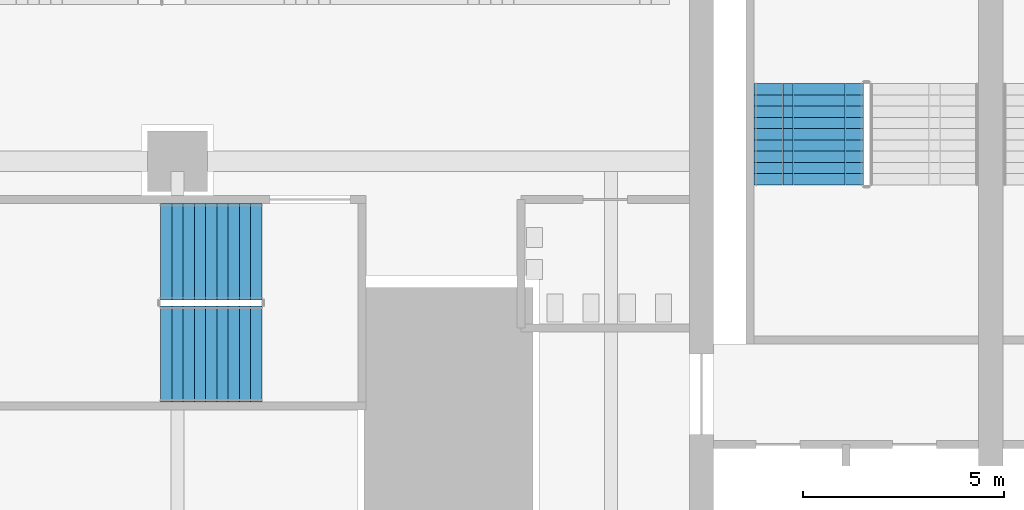
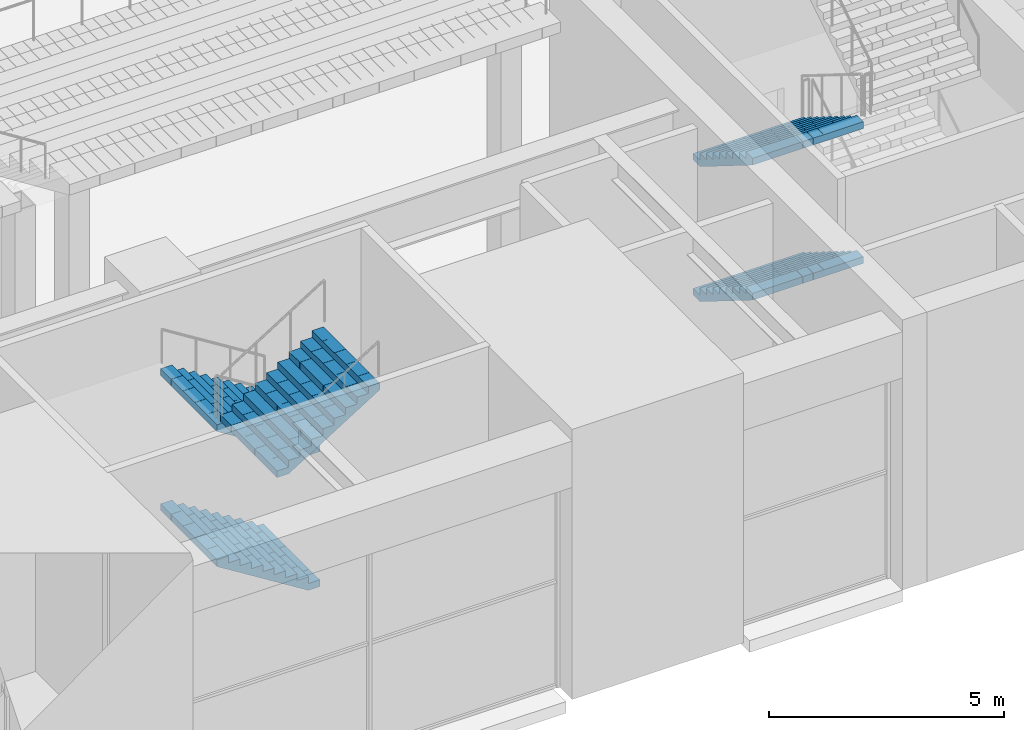
# One storey, part 45 of 62: 5 stair flights, 2 elements without a shape of their own.
"""IFC4 building model written with IfcOpenShell, lengths in metres."""

from ifc_helpers import new_model, si_unit, direction, frame, origin, place, context, subcontext, project, spatial, polyline, outline, extrude, material, type_object, element, aggregate, save


model = new_model("IFC4")

# Units and contexts
model_context = context("Model", 3, precision=1e-05, world=origin(), true_north=direction((0.0, 1.0)))
body_context = subcontext(model_context, "Body", "Model", "MODEL_VIEW")
ifc_project = project(units=[si_unit("LENGTHUNIT", "METRE"), si_unit("AREAUNIT", "SQUARE_METRE"), si_unit("VOLUMEUNIT", "CUBIC_METRE"), si_unit("PLANEANGLEUNIT", "RADIAN"), si_unit("MASSUNIT", "GRAM", prefix="KILO")], contexts=[model_context])

# Site, building, storey
site_placement = place(None, origin())
site = spatial("IfcSite", under=ifc_project, at=site_placement, CompositionType="ELEMENT")
building_placement = place(site_placement, origin())
building = spatial("IfcBuilding", under=site, at=building_placement, Name="Corbelhall Arena Tower", CompositionType="ELEMENT")
storey_placement = place(building_placement, frame((0.0, 0.0, 12.0)))
storey = spatial("IfcBuildingStorey", under=building, at=storey_placement, Name="L01", CompositionType="ELEMENT", Elevation=12.0)

# Stair, stair flights
ifc_material = material(Name="Reinforced concrete C40/50", Category="concrete")
stair_type = type_object("IfcStairType", Name="AR-EXIT-STAIR", PredefinedType="HALF_TURN_STAIR", material=ifc_material)
stair_1_placement = place(storey_placement, origin())
stair_1 = element("IfcStair", 1, at=stair_1_placement, inside=storey, type_object=stair_type, Name="L01 exit stair AS16", PredefinedType="HALF_TURN_STAIR")
stair_flight_type = type_object("IfcStairFlightType", Name="AR-EXIT-FLIGHT", PredefinedType="STRAIGHT", material=ifc_material)
stair_flight_1_placement = place(storey_placement, frame((22.35009765625, -31.5, 0.0), z_axis=(0.0, 0.0, 1.0), x_axis=(-1.0, 0.0, 0.0)))
stair_flight_1 = element("IfcStairFlight", 2, at=stair_flight_1_placement, type_object=stair_flight_type, Name="AS16 flight 1", NumberOfRisers=10, NumberOfTreads=9, PredefinedType="STRAIGHT", RiserHeight=0.175, TreadLength=0.28, context=body_context, shape_type="SweptSolid", body=[
    extrude(outline(polyline([(0.0, 0.0), (0.0, 0.175048828125), (0.280029296875, 0.175048828125), (0.280029296875, 0.35009765625), (0.56005859375, 0.35009765625), (0.56005859375, 0.52490234375), (0.840087890625, 0.52490234375), (0.840087890625, 0.699951171875), (1.1201171875, 0.699951171875), (1.1201171875, 0.875), (1.39990234375, 0.875), (1.39990234375, 1.050048828125), (1.679931640625, 1.050048828125), (1.679931640625, 1.22509765625), (1.9599609375, 1.22509765625), (1.9599609375, 1.39990234375), (2.239990234375, 1.39990234375), (2.239990234375, 1.574951171875), (2.52001953125, 1.574951171875), (2.52001953125, 1.75), (2.52001953125, 1.398193359375), (0.28271484375, 0.0), (0.0, 0.0)])), frame((0.0, 1.199951171875, 0.0), z_axis=(0.0, -1.0, 0.0), x_axis=(1.0, 0.0, 0.0)), (0.0, 0.0, 1.0), 0.449951171875),
    extrude(outline(polyline([(0.0, 0.0), (0.0, 0.175048828125), (0.280029296875, 0.175048828125), (0.280029296875, 0.35009765625), (0.56005859375, 0.35009765625), (0.56005859375, 0.52490234375), (0.840087890625, 0.52490234375), (0.840087890625, 0.699951171875), (1.1201171875, 0.699951171875), (1.1201171875, 0.875), (1.39990234375, 0.875), (1.39990234375, 1.050048828125), (1.679931640625, 1.050048828125), (1.679931640625, 1.22509765625), (1.9599609375, 1.22509765625), (1.9599609375, 1.39990234375), (2.239990234375, 1.39990234375), (2.239990234375, 1.574951171875), (2.52001953125, 1.574951171875), (2.52001953125, 1.75), (2.52001953125, 1.398193359375), (0.28271484375, 0.0), (0.0, 0.0)])), frame((0.0, 0.745849609375, 0.0), z_axis=(0.0, -1.0, 0.0), x_axis=(1.0, 0.0, 0.0)), (0.0, 0.0, 1.0), 0.49462890625),
    extrude(outline(polyline([(0.0, 0.0), (0.0, 0.175048828125), (0.280029296875, 0.175048828125), (0.280029296875, 0.35009765625), (0.56005859375, 0.35009765625), (0.56005859375, 0.52490234375), (0.840087890625, 0.52490234375), (0.840087890625, 0.699951171875), (1.1201171875, 0.699951171875), (1.1201171875, 0.875), (1.39990234375, 0.875), (1.39990234375, 1.050048828125), (1.679931640625, 1.050048828125), (1.679931640625, 1.22509765625), (1.9599609375, 1.22509765625), (1.9599609375, 1.39990234375), (2.239990234375, 1.39990234375), (2.239990234375, 1.574951171875), (2.52001953125, 1.574951171875), (2.52001953125, 1.75), (2.52001953125, 1.398193359375), (0.28271484375, 0.0), (0.0, 0.0)])), frame((0.0, 0.247314453125, 0.0), z_axis=(0.0, -1.0, 0.0), x_axis=(1.0, 0.0, 0.0)), (0.0, 0.0, 1.0), 0.49462890625),
    extrude(outline(polyline([(0.0, 0.0), (0.0, 0.175048828125), (0.280029296875, 0.175048828125), (0.280029296875, 0.35009765625), (0.56005859375, 0.35009765625), (0.56005859375, 0.52490234375), (0.840087890625, 0.52490234375), (0.840087890625, 0.699951171875), (1.1201171875, 0.699951171875), (1.1201171875, 0.875), (1.39990234375, 0.875), (1.39990234375, 1.050048828125), (1.679931640625, 1.050048828125), (1.679931640625, 1.22509765625), (1.9599609375, 1.22509765625), (1.9599609375, 1.39990234375), (2.239990234375, 1.39990234375), (2.239990234375, 1.574951171875), (2.52001953125, 1.574951171875), (2.52001953125, 1.75), (2.52001953125, 1.398193359375), (0.28271484375, 0.0), (0.0, 0.0)])), frame((0.0, -0.251220703125, 0.0), z_axis=(0.0, -1.0, 0.0), x_axis=(1.0, 0.0, 0.0)), (0.0, 0.0, 1.0), 0.49462890625),
    extrude(outline(polyline([(0.0, 0.0), (0.0, 0.175048828125), (0.280029296875, 0.175048828125), (0.280029296875, 0.35009765625), (0.56005859375, 0.35009765625), (0.56005859375, 0.52490234375), (0.840087890625, 0.52490234375), (0.840087890625, 0.699951171875), (1.1201171875, 0.699951171875), (1.1201171875, 0.875), (1.39990234375, 0.875), (1.39990234375, 1.050048828125), (1.679931640625, 1.050048828125), (1.679931640625, 1.22509765625), (1.9599609375, 1.22509765625), (1.9599609375, 1.39990234375), (2.239990234375, 1.39990234375), (2.239990234375, 1.574951171875), (2.52001953125, 1.574951171875), (2.52001953125, 1.75), (2.52001953125, 1.398193359375), (0.28271484375, 0.0), (0.0, 0.0)])), frame((0.0, -0.75, 0.0), z_axis=(0.0, -1.0, 0.0), x_axis=(1.0, 0.0, 0.0)), (0.0, 0.0, 1.0), 0.449951171875),
])
stair_flight_2_placement = place(storey_placement, frame((22.35009765625, -31.5, 3.5), z_axis=(0.0, 0.0, 1.0), x_axis=(-1.0, 0.0, 0.0)))
stair_flight_2 = element("IfcStairFlight", 3, at=stair_flight_2_placement, type_object=stair_flight_type, Name="AS16 flight 3", NumberOfRisers=10, NumberOfTreads=9, PredefinedType="STRAIGHT", RiserHeight=0.175, TreadLength=0.28, context=body_context, shape_type="SweptSolid", body=[
    extrude(outline(polyline([(0.0, 0.0), (0.0, 0.175048828125), (0.280029296875, 0.175048828125), (0.280029296875, 0.35009765625), (0.56005859375, 0.35009765625), (0.56005859375, 0.52490234375), (0.840087890625, 0.52490234375), (0.840087890625, 0.699951171875), (1.1201171875, 0.699951171875), (1.1201171875, 0.875), (1.39990234375, 0.875), (1.39990234375, 1.050048828125), (1.679931640625, 1.050048828125), (1.679931640625, 1.22509765625), (1.9599609375, 1.22509765625), (1.9599609375, 1.39990234375), (2.239990234375, 1.39990234375), (2.239990234375, 1.574951171875), (2.52001953125, 1.574951171875), (2.52001953125, 1.75), (2.52001953125, 1.398193359375), (0.28271484375, 0.0), (0.0, 0.0)])), frame((0.0, 1.199951171875, 0.0), z_axis=(0.0, -1.0, 0.0), x_axis=(1.0, 0.0, 0.0)), (0.0, 0.0, 1.0), 0.449951171875),
    extrude(outline(polyline([(0.0, 0.0), (0.0, 0.175048828125), (0.280029296875, 0.175048828125), (0.280029296875, 0.35009765625), (0.56005859375, 0.35009765625), (0.56005859375, 0.52490234375), (0.840087890625, 0.52490234375), (0.840087890625, 0.699951171875), (1.1201171875, 0.699951171875), (1.1201171875, 0.875), (1.39990234375, 0.875), (1.39990234375, 1.050048828125), (1.679931640625, 1.050048828125), (1.679931640625, 1.22509765625), (1.9599609375, 1.22509765625), (1.9599609375, 1.39990234375), (2.239990234375, 1.39990234375), (2.239990234375, 1.574951171875), (2.52001953125, 1.574951171875), (2.52001953125, 1.75), (2.52001953125, 1.398193359375), (0.28271484375, 0.0), (0.0, 0.0)])), frame((0.0, 0.745849609375, 0.0), z_axis=(0.0, -1.0, 0.0), x_axis=(1.0, 0.0, 0.0)), (0.0, 0.0, 1.0), 0.49462890625),
    extrude(outline(polyline([(0.0, 0.0), (0.0, 0.175048828125), (0.280029296875, 0.175048828125), (0.280029296875, 0.35009765625), (0.56005859375, 0.35009765625), (0.56005859375, 0.52490234375), (0.840087890625, 0.52490234375), (0.840087890625, 0.699951171875), (1.1201171875, 0.699951171875), (1.1201171875, 0.875), (1.39990234375, 0.875), (1.39990234375, 1.050048828125), (1.679931640625, 1.050048828125), (1.679931640625, 1.22509765625), (1.9599609375, 1.22509765625), (1.9599609375, 1.39990234375), (2.239990234375, 1.39990234375), (2.239990234375, 1.574951171875), (2.52001953125, 1.574951171875), (2.52001953125, 1.75), (2.52001953125, 1.398193359375), (0.28271484375, 0.0), (0.0, 0.0)])), frame((0.0, 0.247314453125, 0.0), z_axis=(0.0, -1.0, 0.0), x_axis=(1.0, 0.0, 0.0)), (0.0, 0.0, 1.0), 0.49462890625),
    extrude(outline(polyline([(0.0, 0.0), (0.0, 0.175048828125), (0.280029296875, 0.175048828125), (0.280029296875, 0.35009765625), (0.56005859375, 0.35009765625), (0.56005859375, 0.52490234375), (0.840087890625, 0.52490234375), (0.840087890625, 0.699951171875), (1.1201171875, 0.699951171875), (1.1201171875, 0.875), (1.39990234375, 0.875), (1.39990234375, 1.050048828125), (1.679931640625, 1.050048828125), (1.679931640625, 1.22509765625), (1.9599609375, 1.22509765625), (1.9599609375, 1.39990234375), (2.239990234375, 1.39990234375), (2.239990234375, 1.574951171875), (2.52001953125, 1.574951171875), (2.52001953125, 1.75), (2.52001953125, 1.398193359375), (0.28271484375, 0.0), (0.0, 0.0)])), frame((0.0, -0.251220703125, 0.0), z_axis=(0.0, -1.0, 0.0), x_axis=(1.0, 0.0, 0.0)), (0.0, 0.0, 1.0), 0.49462890625),
    extrude(outline(polyline([(0.0, 0.0), (0.0, 0.175048828125), (0.280029296875, 0.175048828125), (0.280029296875, 0.35009765625), (0.56005859375, 0.35009765625), (0.56005859375, 0.52490234375), (0.840087890625, 0.52490234375), (0.840087890625, 0.699951171875), (1.1201171875, 0.699951171875), (1.1201171875, 0.875), (1.39990234375, 0.875), (1.39990234375, 1.050048828125), (1.679931640625, 1.050048828125), (1.679931640625, 1.22509765625), (1.9599609375, 1.22509765625), (1.9599609375, 1.39990234375), (2.239990234375, 1.39990234375), (2.239990234375, 1.574951171875), (2.52001953125, 1.574951171875), (2.52001953125, 1.75), (2.52001953125, 1.398193359375), (0.28271484375, 0.0), (0.0, 0.0)])), frame((0.0, -0.75, 0.0), z_axis=(0.0, -1.0, 0.0), x_axis=(1.0, 0.0, 0.0)), (0.0, 0.0, 1.0), 0.449951171875),
])
stair_flight_3_placement = place(storey_placement, frame((19.830078125, -34.050048828125, 5.25), z_axis=(0.0, 0.0, 1.0), x_axis=(1.0, 0.0, 0.0)))
stair_flight_3 = element("IfcStairFlight", 4, at=stair_flight_3_placement, type_object=stair_flight_type, Name="AS16 flight 4", NumberOfRisers=10, NumberOfTreads=9, PredefinedType="STRAIGHT", RiserHeight=0.175, TreadLength=0.28, context=body_context, shape_type="SweptSolid", body=[
    extrude(outline(polyline([(0.0, 0.0), (0.0, 0.175048828125), (0.280029296875, 0.175048828125), (0.280029296875, 0.35009765625), (0.56005859375, 0.35009765625), (0.56005859375, 0.52490234375), (0.840087890625, 0.52490234375), (0.840087890625, 0.699951171875), (1.1201171875, 0.699951171875), (1.1201171875, 0.875), (1.39990234375, 0.875), (1.39990234375, 1.050048828125), (1.679931640625, 1.050048828125), (1.679931640625, 1.22509765625), (1.9599609375, 1.22509765625), (1.9599609375, 1.39990234375), (2.239990234375, 1.39990234375), (2.239990234375, 1.574951171875), (2.52001953125, 1.574951171875), (2.52001953125, 1.75), (2.52001953125, 1.398193359375), (0.28271484375, 0.0), (0.0, 0.0)])), frame((0.0, 1.199951171875, 0.0), z_axis=(0.0, -1.0, 0.0), x_axis=(1.0, 0.0, 0.0)), (0.0, 0.0, 1.0), 0.449951171875),
    extrude(outline(polyline([(0.0, 0.0), (0.0, 0.175048828125), (0.280029296875, 0.175048828125), (0.280029296875, 0.35009765625), (0.56005859375, 0.35009765625), (0.56005859375, 0.52490234375), (0.840087890625, 0.52490234375), (0.840087890625, 0.699951171875), (1.1201171875, 0.699951171875), (1.1201171875, 0.875), (1.39990234375, 0.875), (1.39990234375, 1.050048828125), (1.679931640625, 1.050048828125), (1.679931640625, 1.22509765625), (1.9599609375, 1.22509765625), (1.9599609375, 1.39990234375), (2.239990234375, 1.39990234375), (2.239990234375, 1.574951171875), (2.52001953125, 1.574951171875), (2.52001953125, 1.75), (2.52001953125, 1.398193359375), (0.28271484375, 0.0), (0.0, 0.0)])), frame((0.0, 0.745849609375, 0.0), z_axis=(0.0, -1.0, 0.0), x_axis=(1.0, 0.0, 0.0)), (0.0, 0.0, 1.0), 0.49462890625),
    extrude(outline(polyline([(0.0, 0.0), (0.0, 0.175048828125), (0.280029296875, 0.175048828125), (0.280029296875, 0.35009765625), (0.56005859375, 0.35009765625), (0.56005859375, 0.52490234375), (0.840087890625, 0.52490234375), (0.840087890625, 0.699951171875), (1.1201171875, 0.699951171875), (1.1201171875, 0.875), (1.39990234375, 0.875), (1.39990234375, 1.050048828125), (1.679931640625, 1.050048828125), (1.679931640625, 1.22509765625), (1.9599609375, 1.22509765625), (1.9599609375, 1.39990234375), (2.239990234375, 1.39990234375), (2.239990234375, 1.574951171875), (2.52001953125, 1.574951171875), (2.52001953125, 1.75), (2.52001953125, 1.398193359375), (0.28271484375, 0.0), (0.0, 0.0)])), frame((0.0, 0.247314453125, 0.0), z_axis=(0.0, -1.0, 0.0), x_axis=(1.0, 0.0, 0.0)), (0.0, 0.0, 1.0), 0.49462890625),
    extrude(outline(polyline([(0.0, 0.0), (0.0, 0.175048828125), (0.280029296875, 0.175048828125), (0.280029296875, 0.35009765625), (0.56005859375, 0.35009765625), (0.56005859375, 0.52490234375), (0.840087890625, 0.52490234375), (0.840087890625, 0.699951171875), (1.1201171875, 0.699951171875), (1.1201171875, 0.875), (1.39990234375, 0.875), (1.39990234375, 1.050048828125), (1.679931640625, 1.050048828125), (1.679931640625, 1.22509765625), (1.9599609375, 1.22509765625), (1.9599609375, 1.39990234375), (2.239990234375, 1.39990234375), (2.239990234375, 1.574951171875), (2.52001953125, 1.574951171875), (2.52001953125, 1.75), (2.52001953125, 1.398193359375), (0.28271484375, 0.0), (0.0, 0.0)])), frame((0.0, -0.251220703125, 0.0), z_axis=(0.0, -1.0, 0.0), x_axis=(1.0, 0.0, 0.0)), (0.0, 0.0, 1.0), 0.49462890625),
    extrude(outline(polyline([(0.0, 0.0), (0.0, 0.175048828125), (0.280029296875, 0.175048828125), (0.280029296875, 0.35009765625), (0.56005859375, 0.35009765625), (0.56005859375, 0.52490234375), (0.840087890625, 0.52490234375), (0.840087890625, 0.699951171875), (1.1201171875, 0.699951171875), (1.1201171875, 0.875), (1.39990234375, 0.875), (1.39990234375, 1.050048828125), (1.679931640625, 1.050048828125), (1.679931640625, 1.22509765625), (1.9599609375, 1.22509765625), (1.9599609375, 1.39990234375), (2.239990234375, 1.39990234375), (2.239990234375, 1.574951171875), (2.52001953125, 1.574951171875), (2.52001953125, 1.75), (2.52001953125, 1.398193359375), (0.28271484375, 0.0), (0.0, 0.0)])), frame((0.0, -0.75, 0.0), z_axis=(0.0, -1.0, 0.0), x_axis=(1.0, 0.0, 0.0)), (0.0, 0.0, 1.0), 0.449951171875),
])
aggregate(stair_1, [stair_flight_1, stair_flight_2, stair_flight_3])

stair_2_placement = place(storey_placement, origin())
stair_2 = element("IfcStair", 5, at=stair_2_placement, inside=storey, type_object=stair_type, Name="L01 exit stair AS5", PredefinedType="HALF_TURN_STAIR")
stair_flight_4_placement = place(storey_placement, frame((35.969970703125, -27.320068359375, 0.0), z_axis=(0.0, 0.0, 1.0), x_axis=(0.0, -1.0, 0.0)))
stair_flight_4 = element("IfcStairFlight", 6, at=stair_flight_4_placement, type_object=stair_flight_type, Name="AS5 flight 1", NumberOfRisers=10, NumberOfTreads=9, PredefinedType="STRAIGHT", RiserHeight=0.175, TreadLength=0.28, context=body_context, shape_type="SweptSolid", body=[
    extrude(outline(polyline([(0.0, 0.0), (0.0, 0.175048828125), (0.280029296875, 0.175048828125), (0.280029296875, 0.35009765625), (0.56005859375, 0.35009765625), (0.56005859375, 0.52490234375), (0.840087890625, 0.52490234375), (0.840087890625, 0.699951171875), (1.1201171875, 0.699951171875), (1.1201171875, 0.875), (1.39990234375, 0.875), (1.39990234375, 1.050048828125), (1.679931640625, 1.050048828125), (1.679931640625, 1.22509765625), (1.9599609375, 1.22509765625), (1.9599609375, 1.39990234375), (2.239990234375, 1.39990234375), (2.239990234375, 1.574951171875), (2.52001953125, 1.574951171875), (2.52001953125, 1.75), (2.52001953125, 1.398193359375), (0.28271484375, 0.0), (0.0, 0.0)])), frame((0.0, 1.35986328125, 0.0), z_axis=(0.0, -1.0, 0.0), x_axis=(1.0, 0.0, 0.0)), (0.0, 0.0, 1.0), 0.449951171875),
    extrude(outline(polyline([(0.0, 0.0), (0.0, 0.175048828125), (0.280029296875, 0.175048828125), (0.280029296875, 0.35009765625), (0.56005859375, 0.35009765625), (0.56005859375, 0.52490234375), (0.840087890625, 0.52490234375), (0.840087890625, 0.699951171875), (1.1201171875, 0.699951171875), (1.1201171875, 0.875), (1.39990234375, 0.875), (1.39990234375, 1.050048828125), (1.679931640625, 1.050048828125), (1.679931640625, 1.22509765625), (1.9599609375, 1.22509765625), (1.9599609375, 1.39990234375), (2.239990234375, 1.39990234375), (2.239990234375, 1.574951171875), (2.52001953125, 1.574951171875), (2.52001953125, 1.75), (2.52001953125, 1.398193359375), (0.28271484375, 0.0), (0.0, 0.0)])), frame((0.0, 0.906005859375, 0.0), z_axis=(0.0, -1.0, 0.0), x_axis=(1.0, 0.0, 0.0)), (0.0, 0.0, 1.0), 0.25537109375),
    extrude(outline(polyline([(0.0, 0.0), (0.0, 0.175048828125), (0.280029296875, 0.175048828125), (0.280029296875, 0.35009765625), (0.56005859375, 0.35009765625), (0.56005859375, 0.52490234375), (0.840087890625, 0.52490234375), (0.840087890625, 0.699951171875), (1.1201171875, 0.699951171875), (1.1201171875, 0.875), (1.39990234375, 0.875), (1.39990234375, 1.050048828125), (1.679931640625, 1.050048828125), (1.679931640625, 1.22509765625), (1.9599609375, 1.22509765625), (1.9599609375, 1.39990234375), (2.239990234375, 1.39990234375), (2.239990234375, 1.574951171875), (2.52001953125, 1.574951171875), (2.52001953125, 1.75), (2.52001953125, 1.398193359375), (0.28271484375, 0.0), (0.0, 0.0)])), frame((0.0, 0.646484375, 0.0), z_axis=(0.0, -1.0, 0.0), x_axis=(1.0, 0.0, 0.0)), (0.0, 0.0, 1.0), 0.25537109375),
    extrude(outline(polyline([(0.0, 0.0), (0.0, 0.175048828125), (0.280029296875, 0.175048828125), (0.280029296875, 0.35009765625), (0.56005859375, 0.35009765625), (0.56005859375, 0.52490234375), (0.840087890625, 0.52490234375), (0.840087890625, 0.699951171875), (1.1201171875, 0.699951171875), (1.1201171875, 0.875), (1.39990234375, 0.875), (1.39990234375, 1.050048828125), (1.679931640625, 1.050048828125), (1.679931640625, 1.22509765625), (1.9599609375, 1.22509765625), (1.9599609375, 1.39990234375), (2.239990234375, 1.39990234375), (2.239990234375, 1.574951171875), (2.52001953125, 1.574951171875), (2.52001953125, 1.75), (2.52001953125, 1.398193359375), (0.28271484375, 0.0), (0.0, 0.0)])), frame((0.0, 0.38720703125, 0.0), z_axis=(0.0, -1.0, 0.0), x_axis=(1.0, 0.0, 0.0)), (0.0, 0.0, 1.0), 0.25537109375),
    extrude(outline(polyline([(0.0, 0.0), (0.0, 0.175048828125), (0.280029296875, 0.175048828125), (0.280029296875, 0.35009765625), (0.56005859375, 0.35009765625), (0.56005859375, 0.52490234375), (0.840087890625, 0.52490234375), (0.840087890625, 0.699951171875), (1.1201171875, 0.699951171875), (1.1201171875, 0.875), (1.39990234375, 0.875), (1.39990234375, 1.050048828125), (1.679931640625, 1.050048828125), (1.679931640625, 1.22509765625), (1.9599609375, 1.22509765625), (1.9599609375, 1.39990234375), (2.239990234375, 1.39990234375), (2.239990234375, 1.574951171875), (2.52001953125, 1.574951171875), (2.52001953125, 1.75), (2.52001953125, 1.398193359375), (0.28271484375, 0.0), (0.0, 0.0)])), frame((0.0, 0.127685546875, 0.0), z_axis=(0.0, -1.0, 0.0), x_axis=(1.0, 0.0, 0.0)), (0.0, 0.0, 1.0), 0.25537109375),
    extrude(outline(polyline([(0.0, 0.0), (0.0, 0.175048828125), (0.280029296875, 0.175048828125), (0.280029296875, 0.35009765625), (0.56005859375, 0.35009765625), (0.56005859375, 0.52490234375), (0.840087890625, 0.52490234375), (0.840087890625, 0.699951171875), (1.1201171875, 0.699951171875), (1.1201171875, 0.875), (1.39990234375, 0.875), (1.39990234375, 1.050048828125), (1.679931640625, 1.050048828125), (1.679931640625, 1.22509765625), (1.9599609375, 1.22509765625), (1.9599609375, 1.39990234375), (2.239990234375, 1.39990234375), (2.239990234375, 1.574951171875), (2.52001953125, 1.574951171875), (2.52001953125, 1.75), (2.52001953125, 1.398193359375), (0.28271484375, 0.0), (0.0, 0.0)])), frame((0.0, -0.131591796875, 0.0), z_axis=(0.0, -1.0, 0.0), x_axis=(1.0, 0.0, 0.0)), (0.0, 0.0, 1.0), 0.25537109375),
    extrude(outline(polyline([(0.0, 0.0), (0.0, 0.175048828125), (0.280029296875, 0.175048828125), (0.280029296875, 0.35009765625), (0.56005859375, 0.35009765625), (0.56005859375, 0.52490234375), (0.840087890625, 0.52490234375), (0.840087890625, 0.699951171875), (1.1201171875, 0.699951171875), (1.1201171875, 0.875), (1.39990234375, 0.875), (1.39990234375, 1.050048828125), (1.679931640625, 1.050048828125), (1.679931640625, 1.22509765625), (1.9599609375, 1.22509765625), (1.9599609375, 1.39990234375), (2.239990234375, 1.39990234375), (2.239990234375, 1.574951171875), (2.52001953125, 1.574951171875), (2.52001953125, 1.75), (2.52001953125, 1.398193359375), (0.28271484375, 0.0), (0.0, 0.0)])), frame((0.0, -0.39111328125, 0.0), z_axis=(0.0, -1.0, 0.0), x_axis=(1.0, 0.0, 0.0)), (0.0, 0.0, 1.0), 0.25537109375),
    extrude(outline(polyline([(0.0, 0.0), (0.0, 0.175048828125), (0.280029296875, 0.175048828125), (0.280029296875, 0.35009765625), (0.56005859375, 0.35009765625), (0.56005859375, 0.52490234375), (0.840087890625, 0.52490234375), (0.840087890625, 0.699951171875), (1.1201171875, 0.699951171875), (1.1201171875, 0.875), (1.39990234375, 0.875), (1.39990234375, 1.050048828125), (1.679931640625, 1.050048828125), (1.679931640625, 1.22509765625), (1.9599609375, 1.22509765625), (1.9599609375, 1.39990234375), (2.239990234375, 1.39990234375), (2.239990234375, 1.574951171875), (2.52001953125, 1.574951171875), (2.52001953125, 1.75), (2.52001953125, 1.398193359375), (0.28271484375, 0.0), (0.0, 0.0)])), frame((0.0, -0.650634765625, 0.0), z_axis=(0.0, -1.0, 0.0), x_axis=(1.0, 0.0, 0.0)), (0.0, 0.0, 1.0), 0.25537109375),
    extrude(outline(polyline([(0.0, 0.0), (0.0, 0.175048828125), (0.280029296875, 0.175048828125), (0.280029296875, 0.35009765625), (0.56005859375, 0.35009765625), (0.56005859375, 0.52490234375), (0.840087890625, 0.52490234375), (0.840087890625, 0.699951171875), (1.1201171875, 0.699951171875), (1.1201171875, 0.875), (1.39990234375, 0.875), (1.39990234375, 1.050048828125), (1.679931640625, 1.050048828125), (1.679931640625, 1.22509765625), (1.9599609375, 1.22509765625), (1.9599609375, 1.39990234375), (2.239990234375, 1.39990234375), (2.239990234375, 1.574951171875), (2.52001953125, 1.574951171875), (2.52001953125, 1.75), (2.52001953125, 1.398193359375), (0.28271484375, 0.0), (0.0, 0.0)])), frame((0.0, -0.909912109375, 0.0), z_axis=(0.0, -1.0, 0.0), x_axis=(1.0, 0.0, 0.0)), (0.0, 0.0, 1.0), 0.449951171875),
])
stair_flight_5_placement = place(storey_placement, frame((35.969970703125, -27.320068359375, 3.5), z_axis=(0.0, 0.0, 1.0), x_axis=(0.0, -1.0, 0.0)))
stair_flight_5 = element("IfcStairFlight", 7, at=stair_flight_5_placement, type_object=stair_flight_type, Name="AS5 flight 3", NumberOfRisers=10, NumberOfTreads=9, PredefinedType="STRAIGHT", RiserHeight=0.175, TreadLength=0.28, context=body_context, shape_type="SweptSolid", body=[
    extrude(outline(polyline([(0.0, 0.0), (0.0, 0.175048828125), (0.280029296875, 0.175048828125), (0.280029296875, 0.35009765625), (0.56005859375, 0.35009765625), (0.56005859375, 0.52490234375), (0.840087890625, 0.52490234375), (0.840087890625, 0.699951171875), (1.1201171875, 0.699951171875), (1.1201171875, 0.875), (1.39990234375, 0.875), (1.39990234375, 1.050048828125), (1.679931640625, 1.050048828125), (1.679931640625, 1.22509765625), (1.9599609375, 1.22509765625), (1.9599609375, 1.39990234375), (2.239990234375, 1.39990234375), (2.239990234375, 1.574951171875), (2.52001953125, 1.574951171875), (2.52001953125, 1.75), (2.52001953125, 1.398193359375), (0.28271484375, 0.0), (0.0, 0.0)])), frame((0.0, 1.35986328125, 0.0), z_axis=(0.0, -1.0, 0.0), x_axis=(1.0, 0.0, 0.0)), (0.0, 0.0, 1.0), 0.449951171875),
    extrude(outline(polyline([(0.0, 0.0), (0.0, 0.175048828125), (0.280029296875, 0.175048828125), (0.280029296875, 0.35009765625), (0.56005859375, 0.35009765625), (0.56005859375, 0.52490234375), (0.840087890625, 0.52490234375), (0.840087890625, 0.699951171875), (1.1201171875, 0.699951171875), (1.1201171875, 0.875), (1.39990234375, 0.875), (1.39990234375, 1.050048828125), (1.679931640625, 1.050048828125), (1.679931640625, 1.22509765625), (1.9599609375, 1.22509765625), (1.9599609375, 1.39990234375), (2.239990234375, 1.39990234375), (2.239990234375, 1.574951171875), (2.52001953125, 1.574951171875), (2.52001953125, 1.75), (2.52001953125, 1.398193359375), (0.28271484375, 0.0), (0.0, 0.0)])), frame((0.0, 0.906005859375, 0.0), z_axis=(0.0, -1.0, 0.0), x_axis=(1.0, 0.0, 0.0)), (0.0, 0.0, 1.0), 0.25537109375),
    extrude(outline(polyline([(0.0, 0.0), (0.0, 0.175048828125), (0.280029296875, 0.175048828125), (0.280029296875, 0.35009765625), (0.56005859375, 0.35009765625), (0.56005859375, 0.52490234375), (0.840087890625, 0.52490234375), (0.840087890625, 0.699951171875), (1.1201171875, 0.699951171875), (1.1201171875, 0.875), (1.39990234375, 0.875), (1.39990234375, 1.050048828125), (1.679931640625, 1.050048828125), (1.679931640625, 1.22509765625), (1.9599609375, 1.22509765625), (1.9599609375, 1.39990234375), (2.239990234375, 1.39990234375), (2.239990234375, 1.574951171875), (2.52001953125, 1.574951171875), (2.52001953125, 1.75), (2.52001953125, 1.398193359375), (0.28271484375, 0.0), (0.0, 0.0)])), frame((0.0, 0.646484375, 0.0), z_axis=(0.0, -1.0, 0.0), x_axis=(1.0, 0.0, 0.0)), (0.0, 0.0, 1.0), 0.25537109375),
    extrude(outline(polyline([(0.0, 0.0), (0.0, 0.175048828125), (0.280029296875, 0.175048828125), (0.280029296875, 0.35009765625), (0.56005859375, 0.35009765625), (0.56005859375, 0.52490234375), (0.840087890625, 0.52490234375), (0.840087890625, 0.699951171875), (1.1201171875, 0.699951171875), (1.1201171875, 0.875), (1.39990234375, 0.875), (1.39990234375, 1.050048828125), (1.679931640625, 1.050048828125), (1.679931640625, 1.22509765625), (1.9599609375, 1.22509765625), (1.9599609375, 1.39990234375), (2.239990234375, 1.39990234375), (2.239990234375, 1.574951171875), (2.52001953125, 1.574951171875), (2.52001953125, 1.75), (2.52001953125, 1.398193359375), (0.28271484375, 0.0), (0.0, 0.0)])), frame((0.0, 0.38720703125, 0.0), z_axis=(0.0, -1.0, 0.0), x_axis=(1.0, 0.0, 0.0)), (0.0, 0.0, 1.0), 0.25537109375),
    extrude(outline(polyline([(0.0, 0.0), (0.0, 0.175048828125), (0.280029296875, 0.175048828125), (0.280029296875, 0.35009765625), (0.56005859375, 0.35009765625), (0.56005859375, 0.52490234375), (0.840087890625, 0.52490234375), (0.840087890625, 0.699951171875), (1.1201171875, 0.699951171875), (1.1201171875, 0.875), (1.39990234375, 0.875), (1.39990234375, 1.050048828125), (1.679931640625, 1.050048828125), (1.679931640625, 1.22509765625), (1.9599609375, 1.22509765625), (1.9599609375, 1.39990234375), (2.239990234375, 1.39990234375), (2.239990234375, 1.574951171875), (2.52001953125, 1.574951171875), (2.52001953125, 1.75), (2.52001953125, 1.398193359375), (0.28271484375, 0.0), (0.0, 0.0)])), frame((0.0, 0.127685546875, 0.0), z_axis=(0.0, -1.0, 0.0), x_axis=(1.0, 0.0, 0.0)), (0.0, 0.0, 1.0), 0.25537109375),
    extrude(outline(polyline([(0.0, 0.0), (0.0, 0.175048828125), (0.280029296875, 0.175048828125), (0.280029296875, 0.35009765625), (0.56005859375, 0.35009765625), (0.56005859375, 0.52490234375), (0.840087890625, 0.52490234375), (0.840087890625, 0.699951171875), (1.1201171875, 0.699951171875), (1.1201171875, 0.875), (1.39990234375, 0.875), (1.39990234375, 1.050048828125), (1.679931640625, 1.050048828125), (1.679931640625, 1.22509765625), (1.9599609375, 1.22509765625), (1.9599609375, 1.39990234375), (2.239990234375, 1.39990234375), (2.239990234375, 1.574951171875), (2.52001953125, 1.574951171875), (2.52001953125, 1.75), (2.52001953125, 1.398193359375), (0.28271484375, 0.0), (0.0, 0.0)])), frame((0.0, -0.131591796875, 0.0), z_axis=(0.0, -1.0, 0.0), x_axis=(1.0, 0.0, 0.0)), (0.0, 0.0, 1.0), 0.25537109375),
    extrude(outline(polyline([(0.0, 0.0), (0.0, 0.175048828125), (0.280029296875, 0.175048828125), (0.280029296875, 0.35009765625), (0.56005859375, 0.35009765625), (0.56005859375, 0.52490234375), (0.840087890625, 0.52490234375), (0.840087890625, 0.699951171875), (1.1201171875, 0.699951171875), (1.1201171875, 0.875), (1.39990234375, 0.875), (1.39990234375, 1.050048828125), (1.679931640625, 1.050048828125), (1.679931640625, 1.22509765625), (1.9599609375, 1.22509765625), (1.9599609375, 1.39990234375), (2.239990234375, 1.39990234375), (2.239990234375, 1.574951171875), (2.52001953125, 1.574951171875), (2.52001953125, 1.75), (2.52001953125, 1.398193359375), (0.28271484375, 0.0), (0.0, 0.0)])), frame((0.0, -0.39111328125, 0.0), z_axis=(0.0, -1.0, 0.0), x_axis=(1.0, 0.0, 0.0)), (0.0, 0.0, 1.0), 0.25537109375),
    extrude(outline(polyline([(0.0, 0.0), (0.0, 0.175048828125), (0.280029296875, 0.175048828125), (0.280029296875, 0.35009765625), (0.56005859375, 0.35009765625), (0.56005859375, 0.52490234375), (0.840087890625, 0.52490234375), (0.840087890625, 0.699951171875), (1.1201171875, 0.699951171875), (1.1201171875, 0.875), (1.39990234375, 0.875), (1.39990234375, 1.050048828125), (1.679931640625, 1.050048828125), (1.679931640625, 1.22509765625), (1.9599609375, 1.22509765625), (1.9599609375, 1.39990234375), (2.239990234375, 1.39990234375), (2.239990234375, 1.574951171875), (2.52001953125, 1.574951171875), (2.52001953125, 1.75), (2.52001953125, 1.398193359375), (0.28271484375, 0.0), (0.0, 0.0)])), frame((0.0, -0.650634765625, 0.0), z_axis=(0.0, -1.0, 0.0), x_axis=(1.0, 0.0, 0.0)), (0.0, 0.0, 1.0), 0.25537109375),
    extrude(outline(polyline([(0.0, 0.0), (0.0, 0.175048828125), (0.280029296875, 0.175048828125), (0.280029296875, 0.35009765625), (0.56005859375, 0.35009765625), (0.56005859375, 0.52490234375), (0.840087890625, 0.52490234375), (0.840087890625, 0.699951171875), (1.1201171875, 0.699951171875), (1.1201171875, 0.875), (1.39990234375, 0.875), (1.39990234375, 1.050048828125), (1.679931640625, 1.050048828125), (1.679931640625, 1.22509765625), (1.9599609375, 1.22509765625), (1.9599609375, 1.39990234375), (2.239990234375, 1.39990234375), (2.239990234375, 1.574951171875), (2.52001953125, 1.574951171875), (2.52001953125, 1.75), (2.52001953125, 1.398193359375), (0.28271484375, 0.0), (0.0, 0.0)])), frame((0.0, -0.909912109375, 0.0), z_axis=(0.0, -1.0, 0.0), x_axis=(1.0, 0.0, 0.0)), (0.0, 0.0, 1.0), 0.449951171875),
])
aggregate(stair_2, [stair_flight_4, stair_flight_5])

save(model, "model.ifc")
